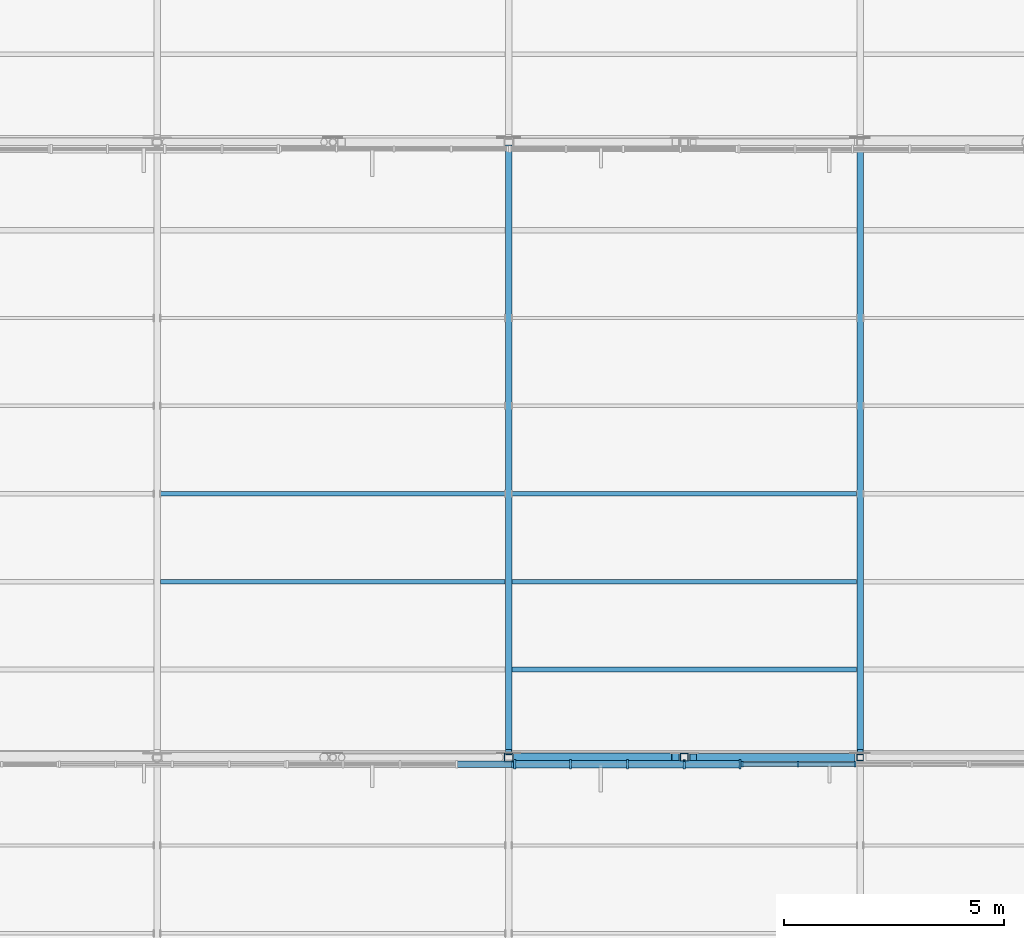
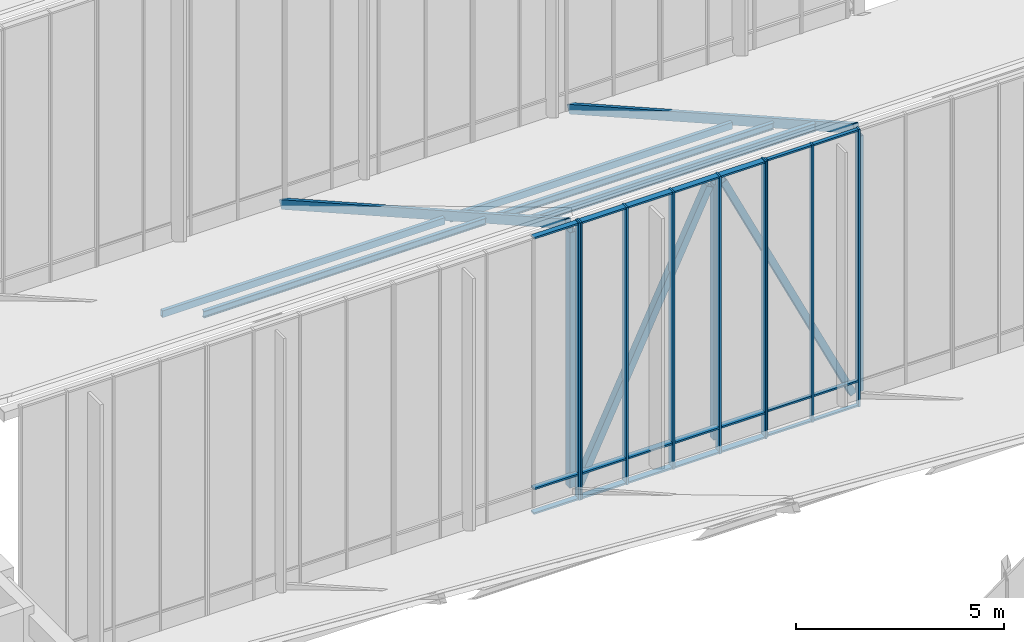
# One storey, part 47 of 155: 42 members, 3 elements without a shape of their own.
"""IFC4 building model written with IfcOpenShell, lengths in metres."""

from ifc_helpers import new_model, si_unit, direction, frame, origin, origin_2d, place, context, subcontext, project, spatial, rectangle, hollow_rectangle, i_section, extrude, material, material_profile, profile_set, type_object, element, aggregate, save


model = new_model("IFC4")

# Units and contexts
model_context = context("Model", 3, precision=1e-05, world=origin(), true_north=direction((0.0, 1.0)))
body_context = subcontext(model_context, "Body", "Model", "MODEL_VIEW")
ifc_project = project(units=[si_unit("LENGTHUNIT", "METRE"), si_unit("AREAUNIT", "SQUARE_METRE"), si_unit("VOLUMEUNIT", "CUBIC_METRE"), si_unit("PLANEANGLEUNIT", "RADIAN"), si_unit("MASSUNIT", "GRAM", prefix="KILO")], contexts=[model_context])

# Site, building, storey
site_placement = place(None, origin())
site = spatial("IfcSite", under=ifc_project, at=site_placement, CompositionType="ELEMENT")
building_placement = place(site_placement, origin())
building = spatial("IfcBuilding", under=site, at=building_placement, Name="Larkveld Mobility Hub", CompositionType="ELEMENT")
storey_placement = place(building_placement, frame((0.0, 0.0, 8.39990234375)))
storey = spatial("IfcBuildingStorey", under=building, at=storey_placement, Name="L02", CompositionType="ELEMENT", Elevation=8.39990234375)

# Curtain wall, member
ifc_material_1 = material(Name="Anodised aluminium 6063-T6", Category="aluminium")
curtain_wall_type_1 = type_object("IfcCurtainWallType", Name="CW-SYS-10", PredefinedType="NOTDEFINED", material=ifc_material_1)
curtain_wall_1_placement = place(storey_placement, origin())
curtain_wall_1 = element("IfcCurtainWall", 1, at=curtain_wall_1_placement, inside=storey, type_object=curtain_wall_type_1, Name="Sawtooth South-Light Clerestory B3 CW-022", PredefinedType="NOTDEFINED")
ifc_material_profile_1 = material_profile(ifc_material_1, rectangle(XDim=0.050048828125, YDim=0.179931640625, at=origin_2d()), Name="ALU MULL 50x180")
ifc_profile_set_1 = profile_set([ifc_material_profile_1], Name="Anodised aluminium 6063-T6")
member_type_1 = type_object("IfcMemberType", Name="CW-MUL-02", PredefinedType="MULLION", material=ifc_profile_set_1)
member_1_placement = place(storey_placement, frame((168.090087890625, 55.844970703125, -0.001953125), z_axis=(0.0, 0.0, 1.0), x_axis=(1.0, 0.0, 0.0)))
member_1 = element("IfcMember", 2, at=member_1_placement, type_object=member_type_1, Name="CW10 mullion 5", PredefinedType="MULLION", context=body_context, shape_type="SweptSolid", body=[
    extrude(rectangle(XDim=0.050048828125, YDim=0.179931640625, at=origin_2d()), origin(), (0.0, 0.0, 1.0), 8.152099609375),
])

# Curtain wall, members
curtain_wall_type_2 = type_object("IfcCurtainWallType", Name="CW-SYS-11", PredefinedType="NOTDEFINED", material=ifc_material_1)
curtain_wall_2_placement = place(storey_placement, origin())
curtain_wall_2 = element("IfcCurtainWall", 3, at=curtain_wall_2_placement, inside=storey, type_object=curtain_wall_type_2, Name="Sawtooth South-Light Clerestory B3 CW-023", PredefinedType="NOTDEFINED")
ifc_material_profile_2 = material_profile(ifc_material_1, rectangle(XDim=0.050048828125, YDim=0.2099609375, at=origin_2d()), Name="ALU MULL 50x210")
ifc_profile_set_2 = profile_set([ifc_material_profile_2], Name="Anodised aluminium 6063-T6")
member_type_2 = type_object("IfcMemberType", Name="CW-MUL-03", PredefinedType="MULLION", material=ifc_profile_set_2)
member_2_placement = place(storey_placement, frame((168.139892578125, 55.844970703125, -0.001953125), z_axis=(0.0, 0.0, 1.0), x_axis=(1.0, 0.0, 0.0)))
member_2 = element("IfcMember", 4, at=member_2_placement, type_object=member_type_2, Name="CW11 mullion 1", PredefinedType="MULLION", context=body_context, shape_type="SweptSolid", body=[
    extrude(rectangle(XDim=0.050048828125, YDim=0.2099609375, at=origin_2d()), origin(), (0.0, 0.0, 1.0), 8.152099609375),
])
member_3_placement = place(storey_placement, frame((169.409912109375, 55.844970703125, -0.001953125), z_axis=(0.0, 0.0, 1.0), x_axis=(1.0, 0.0, 0.0)))
member_3 = element("IfcMember", 5, at=member_3_placement, type_object=member_type_2, Name="CW11 mullion 2", PredefinedType="MULLION", context=body_context, shape_type="SweptSolid", body=[
    extrude(rectangle(XDim=0.050048828125, YDim=0.2099609375, at=origin_2d()), origin(), (0.0, 0.0, 1.0), 8.152099609375),
])
member_4_placement = place(storey_placement, frame((170.7041015625, 55.844970703125, -0.001953125), z_axis=(0.0, 0.0, 1.0), x_axis=(1.0, 0.0, 0.0)))
member_4 = element("IfcMember", 6, at=member_4_placement, type_object=member_type_2, Name="CW11 mullion 3", PredefinedType="MULLION", context=body_context, shape_type="SweptSolid", body=[
    extrude(rectangle(XDim=0.050048828125, YDim=0.2099609375, at=origin_2d()), origin(), (0.0, 0.0, 1.0), 8.152099609375),
])
member_5_placement = place(storey_placement, frame((171.9990234375, 55.844970703125, -0.001953125), z_axis=(0.0, 0.0, 1.0), x_axis=(1.0, 0.0, 0.0)))
member_5 = element("IfcMember", 7, at=member_5_placement, type_object=member_type_2, Name="CW11 mullion 4", PredefinedType="MULLION", context=body_context, shape_type="SweptSolid", body=[
    extrude(rectangle(XDim=0.050048828125, YDim=0.2099609375, at=origin_2d()), origin(), (0.0, 0.0, 1.0), 8.152099609375),
])
member_6_placement = place(storey_placement, frame((173.26806640625, 55.844970703125, -0.001953125), z_axis=(0.0, 0.0, 1.0), x_axis=(1.0, 0.0, 0.0)))
member_6 = element("IfcMember", 8, at=member_6_placement, type_object=member_type_2, Name="CW11 mullion 5", PredefinedType="MULLION", context=body_context, shape_type="SweptSolid", body=[
    extrude(rectangle(XDim=0.050048828125, YDim=0.2099609375, at=origin_2d()), origin(), (0.0, 0.0, 1.0), 8.152099609375),
])

curtain_wall_type_3 = type_object("IfcCurtainWallType", Name="CW-SYS-12", PredefinedType="NOTDEFINED", material=ifc_material_1)
curtain_wall_3_placement = place(storey_placement, origin())
curtain_wall_3 = element("IfcCurtainWall", 9, at=curtain_wall_3_placement, inside=storey, type_object=curtain_wall_type_3, Name="Sawtooth South-Light Clerestory B3 CW-024", PredefinedType="NOTDEFINED")
ifc_material_profile_3 = material_profile(ifc_material_1, rectangle(XDim=0.050048828125, YDim=0.1298828125, at=origin_2d()), Name="ALU MULL 50x130")
ifc_profile_set_3 = profile_set([ifc_material_profile_3], Name="Anodised aluminium 6063-T6")
member_type_3 = type_object("IfcMemberType", Name="CW-MUL-04", PredefinedType="MULLION", material=ifc_profile_set_3)
member_7_placement = place(storey_placement, frame((173.318115234375, 55.844970703125, -0.001953125), z_axis=(0.0, 0.0, 1.0), x_axis=(1.0, 0.0, 0.0)))
member_7 = element("IfcMember", 10, at=member_7_placement, type_object=member_type_3, Name="CW12 mullion 1", PredefinedType="MULLION", context=body_context, shape_type="SweptSolid", body=[
    extrude(rectangle(XDim=0.050048828125, YDim=0.1298828125, at=origin_2d()), origin(), (0.0, 0.0, 1.0), 8.152099609375),
])
member_8_placement = place(storey_placement, frame((174.587890625, 55.844970703125, -0.001953125), z_axis=(0.0, 0.0, 1.0), x_axis=(1.0, 0.0, 0.0)))
member_8 = element("IfcMember", 11, at=member_8_placement, type_object=member_type_3, Name="CW12 mullion 2", PredefinedType="MULLION", context=body_context, shape_type="SweptSolid", body=[
    extrude(rectangle(XDim=0.050048828125, YDim=0.1298828125, at=origin_2d()), origin(), (0.0, 0.0, 1.0), 8.152099609375),
])
member_9_placement = place(storey_placement, frame((175.882080078125, 55.844970703125, -0.001953125), z_axis=(0.0, 0.0, 1.0), x_axis=(1.0, 0.0, 0.0)))
member_9 = element("IfcMember", 12, at=member_9_placement, type_object=member_type_3, Name="CW12 mullion 3", PredefinedType="MULLION", context=body_context, shape_type="SweptSolid", body=[
    extrude(rectangle(XDim=0.050048828125, YDim=0.1298828125, at=origin_2d()), origin(), (0.0, 0.0, 1.0), 8.152099609375),
])

# Member
ifc_material_profile_4 = material_profile(ifc_material_1, rectangle(XDim=0.14990234375, YDim=0.050048828125, at=origin_2d()), Name="ALU TRAN 50x150")
ifc_profile_set_4 = profile_set([ifc_material_profile_4], Name="Anodised aluminium 6063-T6")
member_type_4 = type_object("IfcMemberType", Name="CW-TRN-02", PredefinedType="USERDEFINED", material=ifc_profile_set_4)
member_10_placement = place(storey_placement, frame((166.8359375, 55.844970703125, 0.030029296875), z_axis=(1.0, 0.0, 0.0), x_axis=(0.0, 1.0, 0.0)))
member_10 = element("IfcMember", 13, at=member_10_placement, type_object=member_type_4, Name="CW10 transom 4.1", ObjectType="TRANSOM", PredefinedType="USERDEFINED", context=body_context, shape_type="SweptSolid", body=[
    extrude(rectangle(XDim=0.14990234375, YDim=0.050048828125, at=origin_2d()), origin(), (0.0, 0.0, 1.0), 1.244140625),
])

member_11_placement = place(storey_placement, frame((166.8359375, 55.844970703125, 0.75), z_axis=(1.0, 0.0, 0.0), x_axis=(0.0, 1.0, 0.0)))
member_11 = element("IfcMember", 14, at=member_11_placement, type_object=member_type_4, Name="CW10 transom 4.2", ObjectType="TRANSOM", PredefinedType="USERDEFINED", context=body_context, shape_type="SweptSolid", body=[
    extrude(rectangle(XDim=0.14990234375, YDim=0.050048828125, at=origin_2d()), origin(), (0.0, 0.0, 1.0), 1.244140625),
])

member_12_placement = place(storey_placement, frame((166.8359375, 55.844970703125, 8.1181640625), z_axis=(1.0, 0.0, 0.0), x_axis=(0.0, 1.0, 0.0)))
member_12 = element("IfcMember", 15, at=member_12_placement, type_object=member_type_4, Name="CW10 transom 4.3", ObjectType="TRANSOM", PredefinedType="USERDEFINED", context=body_context, shape_type="SweptSolid", body=[
    extrude(rectangle(XDim=0.14990234375, YDim=0.050048828125, at=origin_2d()), origin(), (0.0, 0.0, 1.0), 1.244140625),
])

aggregate(curtain_wall_1, [member_1, member_10, member_11, member_12])

ifc_material_profile_5 = material_profile(ifc_material_1, rectangle(XDim=0.169921875, YDim=0.050048828125, at=origin_2d()), Name="ALU TRAN 50x170")
ifc_profile_set_5 = profile_set([ifc_material_profile_5], Name="Anodised aluminium 6063-T6")
member_type_5 = type_object("IfcMemberType", Name="CW-TRN-03", PredefinedType="USERDEFINED", material=ifc_profile_set_5)
member_13_placement = place(storey_placement, frame((168.14990234375, 55.844970703125, 0.030029296875), z_axis=(1.0, 0.0, 0.0), x_axis=(0.0, 1.0, 0.0)))
member_13 = element("IfcMember", 16, at=member_13_placement, type_object=member_type_5, Name="CW11 transom 1.1", ObjectType="TRANSOM", PredefinedType="USERDEFINED", context=body_context, shape_type="SweptSolid", body=[
    extrude(rectangle(XDim=0.169921875, YDim=0.050048828125, at=origin_2d()), origin(), (0.0, 0.0, 1.0), 1.2451171875),
])

member_14_placement = place(storey_placement, frame((168.14990234375, 55.844970703125, 0.75), z_axis=(1.0, 0.0, 0.0), x_axis=(0.0, 1.0, 0.0)))
member_14 = element("IfcMember", 17, at=member_14_placement, type_object=member_type_5, Name="CW11 transom 1.2", ObjectType="TRANSOM", PredefinedType="USERDEFINED", context=body_context, shape_type="SweptSolid", body=[
    extrude(rectangle(XDim=0.169921875, YDim=0.050048828125, at=origin_2d()), origin(), (0.0, 0.0, 1.0), 1.2451171875),
])

member_15_placement = place(storey_placement, frame((168.14990234375, 55.844970703125, 8.1181640625), z_axis=(1.0, 0.0, 0.0), x_axis=(0.0, 1.0, 0.0)))
member_15 = element("IfcMember", 18, at=member_15_placement, type_object=member_type_5, Name="CW11 transom 1.3", ObjectType="TRANSOM", PredefinedType="USERDEFINED", context=body_context, shape_type="SweptSolid", body=[
    extrude(rectangle(XDim=0.169921875, YDim=0.050048828125, at=origin_2d()), origin(), (0.0, 0.0, 1.0), 1.2451171875),
])

member_16_placement = place(storey_placement, frame((169.425048828125, 55.844970703125, 0.030029296875), z_axis=(1.0, 0.0, 0.0), x_axis=(0.0, 1.0, 0.0)))
member_16 = element("IfcMember", 19, at=member_16_placement, type_object=member_type_5, Name="CW11 transom 2.1", ObjectType="TRANSOM", PredefinedType="USERDEFINED", context=body_context, shape_type="SweptSolid", body=[
    extrude(rectangle(XDim=0.169921875, YDim=0.050048828125, at=origin_2d()), origin(), (0.0, 0.0, 1.0), 1.263916015625),
])

member_17_placement = place(storey_placement, frame((169.425048828125, 55.844970703125, 0.75), z_axis=(1.0, 0.0, 0.0), x_axis=(0.0, 1.0, 0.0)))
member_17 = element("IfcMember", 20, at=member_17_placement, type_object=member_type_5, Name="CW11 transom 2.2", ObjectType="TRANSOM", PredefinedType="USERDEFINED", context=body_context, shape_type="SweptSolid", body=[
    extrude(rectangle(XDim=0.169921875, YDim=0.050048828125, at=origin_2d()), origin(), (0.0, 0.0, 1.0), 1.263916015625),
])

member_18_placement = place(storey_placement, frame((169.425048828125, 55.844970703125, 8.1181640625), z_axis=(1.0, 0.0, 0.0), x_axis=(0.0, 1.0, 0.0)))
member_18 = element("IfcMember", 21, at=member_18_placement, type_object=member_type_5, Name="CW11 transom 2.3", ObjectType="TRANSOM", PredefinedType="USERDEFINED", context=body_context, shape_type="SweptSolid", body=[
    extrude(rectangle(XDim=0.169921875, YDim=0.050048828125, at=origin_2d()), origin(), (0.0, 0.0, 1.0), 1.263916015625),
])

member_19_placement = place(storey_placement, frame((170.718994140625, 55.844970703125, 0.030029296875), z_axis=(1.0, 0.0, 0.0), x_axis=(0.0, 1.0, 0.0)))
member_19 = element("IfcMember", 22, at=member_19_placement, type_object=member_type_5, Name="CW11 transom 3.1", ObjectType="TRANSOM", PredefinedType="USERDEFINED", context=body_context, shape_type="SweptSolid", body=[
    extrude(rectangle(XDim=0.169921875, YDim=0.050048828125, at=origin_2d()), origin(), (0.0, 0.0, 1.0), 1.264892578125),
])

member_20_placement = place(storey_placement, frame((170.718994140625, 55.844970703125, 0.75), z_axis=(1.0, 0.0, 0.0), x_axis=(0.0, 1.0, 0.0)))
member_20 = element("IfcMember", 23, at=member_20_placement, type_object=member_type_5, Name="CW11 transom 3.2", ObjectType="TRANSOM", PredefinedType="USERDEFINED", context=body_context, shape_type="SweptSolid", body=[
    extrude(rectangle(XDim=0.169921875, YDim=0.050048828125, at=origin_2d()), origin(), (0.0, 0.0, 1.0), 1.264892578125),
])

member_21_placement = place(storey_placement, frame((170.718994140625, 55.844970703125, 8.1181640625), z_axis=(1.0, 0.0, 0.0), x_axis=(0.0, 1.0, 0.0)))
member_21 = element("IfcMember", 24, at=member_21_placement, type_object=member_type_5, Name="CW11 transom 3.3", ObjectType="TRANSOM", PredefinedType="USERDEFINED", context=body_context, shape_type="SweptSolid", body=[
    extrude(rectangle(XDim=0.169921875, YDim=0.050048828125, at=origin_2d()), origin(), (0.0, 0.0, 1.0), 1.264892578125),
])

member_22_placement = place(storey_placement, frame((172.013916015625, 55.844970703125, 0.030029296875), z_axis=(1.0, 0.0, 0.0), x_axis=(0.0, 1.0, 0.0)))
member_22 = element("IfcMember", 25, at=member_22_placement, type_object=member_type_5, Name="CW11 transom 4.1", ObjectType="TRANSOM", PredefinedType="USERDEFINED", context=body_context, shape_type="SweptSolid", body=[
    extrude(rectangle(XDim=0.169921875, YDim=0.050048828125, at=origin_2d()), origin(), (0.0, 0.0, 1.0), 1.244140625),
])

member_23_placement = place(storey_placement, frame((172.013916015625, 55.844970703125, 0.75), z_axis=(1.0, 0.0, 0.0), x_axis=(0.0, 1.0, 0.0)))
member_23 = element("IfcMember", 26, at=member_23_placement, type_object=member_type_5, Name="CW11 transom 4.2", ObjectType="TRANSOM", PredefinedType="USERDEFINED", context=body_context, shape_type="SweptSolid", body=[
    extrude(rectangle(XDim=0.169921875, YDim=0.050048828125, at=origin_2d()), origin(), (0.0, 0.0, 1.0), 1.244140625),
])

member_24_placement = place(storey_placement, frame((172.013916015625, 55.844970703125, 8.1181640625), z_axis=(1.0, 0.0, 0.0), x_axis=(0.0, 1.0, 0.0)))
member_24 = element("IfcMember", 27, at=member_24_placement, type_object=member_type_5, Name="CW11 transom 4.3", ObjectType="TRANSOM", PredefinedType="USERDEFINED", context=body_context, shape_type="SweptSolid", body=[
    extrude(rectangle(XDim=0.169921875, YDim=0.050048828125, at=origin_2d()), origin(), (0.0, 0.0, 1.0), 1.244140625),
])

aggregate(curtain_wall_2, [member_2, member_3, member_4, member_5, member_6, member_13, member_14, member_15, member_16, member_17, member_18, member_19, member_20, member_21, member_22, member_23, member_24])

ifc_material_profile_6 = material_profile(ifc_material_1, rectangle(XDim=0.10009765625, YDim=0.050048828125, at=origin_2d()), Name="ALU TRAN 50x100")
ifc_profile_set_6 = profile_set([ifc_material_profile_6], Name="Anodised aluminium 6063-T6")
member_type_6 = type_object("IfcMemberType", Name="CW-TRN-04", PredefinedType="USERDEFINED", material=ifc_profile_set_6)
member_25_placement = place(storey_placement, frame((173.327880859375, 55.844970703125, 0.030029296875), z_axis=(1.0, 0.0, 0.0), x_axis=(0.0, 1.0, 0.0)))
member_25 = element("IfcMember", 28, at=member_25_placement, type_object=member_type_6, Name="CW12 transom 1.1", ObjectType="TRANSOM", PredefinedType="USERDEFINED", context=body_context, shape_type="SweptSolid", body=[
    extrude(rectangle(XDim=0.10009765625, YDim=0.050048828125, at=origin_2d()), origin(), (0.0, 0.0, 1.0), 1.2451171875),
])

member_26_placement = place(storey_placement, frame((173.327880859375, 55.844970703125, 0.75), z_axis=(1.0, 0.0, 0.0), x_axis=(0.0, 1.0, 0.0)))
member_26 = element("IfcMember", 29, at=member_26_placement, type_object=member_type_6, Name="CW12 transom 1.2", ObjectType="TRANSOM", PredefinedType="USERDEFINED", context=body_context, shape_type="SweptSolid", body=[
    extrude(rectangle(XDim=0.10009765625, YDim=0.050048828125, at=origin_2d()), origin(), (0.0, 0.0, 1.0), 1.2451171875),
])

member_27_placement = place(storey_placement, frame((173.327880859375, 55.844970703125, 8.1181640625), z_axis=(1.0, 0.0, 0.0), x_axis=(0.0, 1.0, 0.0)))
member_27 = element("IfcMember", 30, at=member_27_placement, type_object=member_type_6, Name="CW12 transom 1.3", ObjectType="TRANSOM", PredefinedType="USERDEFINED", context=body_context, shape_type="SweptSolid", body=[
    extrude(rectangle(XDim=0.10009765625, YDim=0.050048828125, at=origin_2d()), origin(), (0.0, 0.0, 1.0), 1.2451171875),
])

member_28_placement = place(storey_placement, frame((174.60302734375, 55.844970703125, 0.030029296875), z_axis=(1.0, 0.0, 0.0), x_axis=(0.0, 1.0, 0.0)))
member_28 = element("IfcMember", 31, at=member_28_placement, type_object=member_type_6, Name="CW12 transom 2.1", ObjectType="TRANSOM", PredefinedType="USERDEFINED", context=body_context, shape_type="SweptSolid", body=[
    extrude(rectangle(XDim=0.10009765625, YDim=0.050048828125, at=origin_2d()), origin(), (0.0, 0.0, 1.0), 1.263916015625),
])

member_29_placement = place(storey_placement, frame((174.60302734375, 55.844970703125, 0.75), z_axis=(1.0, 0.0, 0.0), x_axis=(0.0, 1.0, 0.0)))
member_29 = element("IfcMember", 32, at=member_29_placement, type_object=member_type_6, Name="CW12 transom 2.2", ObjectType="TRANSOM", PredefinedType="USERDEFINED", context=body_context, shape_type="SweptSolid", body=[
    extrude(rectangle(XDim=0.10009765625, YDim=0.050048828125, at=origin_2d()), origin(), (0.0, 0.0, 1.0), 1.263916015625),
])

member_30_placement = place(storey_placement, frame((174.60302734375, 55.844970703125, 8.1181640625), z_axis=(1.0, 0.0, 0.0), x_axis=(0.0, 1.0, 0.0)))
member_30 = element("IfcMember", 33, at=member_30_placement, type_object=member_type_6, Name="CW12 transom 2.3", ObjectType="TRANSOM", PredefinedType="USERDEFINED", context=body_context, shape_type="SweptSolid", body=[
    extrude(rectangle(XDim=0.10009765625, YDim=0.050048828125, at=origin_2d()), origin(), (0.0, 0.0, 1.0), 1.263916015625),
])

aggregate(curtain_wall_3, [member_7, member_8, member_9, member_25, member_26, member_27, member_28, member_29, member_30])

# Members
ifc_material_2 = material(Name="Steel S355JR", Category="steel")
ifc_material_profile_7 = material_profile(ifc_material_2, hollow_rectangle(XDim=0.14990234375, YDim=0.14990234375, WallThickness=0.008056640625, at=origin_2d()), Name="SHS 150x150x8")
ifc_profile_set_7 = profile_set([ifc_material_profile_7], Name="Steel S355JR")
member_type_7 = type_object("IfcMemberType", Name="MB-BR-SHS150", PredefinedType="BRACE", material=ifc_profile_set_7)
member_31_placement = place(storey_placement, frame((176.0, 56.0, 0.32421875), z_axis=(0.0, 0.0, 1.0), x_axis=(1.0, 0.0, 0.0)))
element("IfcMember", 34, at=member_31_placement, inside=storey, type_object=member_type_7, Name="ROOF TRUSS T3 Vertical Post 6", PredefinedType="BRACE", context=body_context, shape_type="SweptSolid", body=[
    extrude(hollow_rectangle(XDim=0.14990234375, YDim=0.14990234375, WallThickness=0.008056640625, at=origin_2d()), origin(), (0.0, 0.0, 1.0), 7.5009765625),
])
ifc_material_profile_8 = material_profile(ifc_material_2, hollow_rectangle(XDim=0.179931640625, YDim=0.179931640625, WallThickness=0.010009765625, at=origin_2d()), Name="SHS 180x180x10")
ifc_profile_set_8 = profile_set([ifc_material_profile_8], Name="Steel S355JR")
member_type_8 = type_object("IfcMemberType", Name="MB-BR-SHS180", PredefinedType="BRACE", material=ifc_profile_set_8)
member_32_placement = place(storey_placement, frame((172.199951171875, 56.0, 7.8251953125), z_axis=(0.432694817509, 0.0, -0.901540456608), x_axis=(0.0, 1.0, 0.0)))
element("IfcMember", 35, at=member_32_placement, inside=storey, type_object=member_type_8, Name="ROOF TRUSS T3 Web Diagonal 6", PredefinedType="BRACE", context=body_context, shape_type="SweptSolid", body=[
    extrude(hollow_rectangle(XDim=0.179931640625, YDim=0.179931640625, WallThickness=0.010009765625, at=origin_2d()), origin(), (0.0, 0.0, 1.0), 8.320068359375),
])
member_33_placement = place(storey_placement, frame((172.0, 56.0, 0.32421875), z_axis=(0.0, 0.0, 1.0), x_axis=(1.0, 0.0, 0.0)))
element("IfcMember", 36, at=member_33_placement, inside=storey, type_object=member_type_8, Name="ROOF TRUSS T3 Vertical Post 5", PredefinedType="BRACE", context=body_context, shape_type="SweptSolid", body=[
    extrude(hollow_rectangle(XDim=0.179931640625, YDim=0.179931640625, WallThickness=0.010009765625, at=origin_2d()), origin(), (0.0, 0.0, 1.0), 7.5009765625),
])
ifc_material_profile_9 = material_profile(ifc_material_2, hollow_rectangle(XDim=0.199951171875, YDim=0.199951171875, WallThickness=0.010009765625, at=origin_2d()), Name="SHS 200x200x10")
ifc_profile_set_9 = profile_set([ifc_material_profile_9], Name="Steel S355JR")
member_type_9 = type_object("IfcMemberType", Name="MB-BR-SHS200", PredefinedType="BRACE", material=ifc_profile_set_9)
member_34_placement = place(storey_placement, frame((168.199951171875, 56.0, 0.32421875), z_axis=(0.432694817509, 0.0, 0.901540456608), x_axis=(0.0, 1.0, 0.0)))
element("IfcMember", 37, at=member_34_placement, inside=storey, type_object=member_type_9, Name="ROOF TRUSS T3 Web Diagonal 5", PredefinedType="BRACE", context=body_context, shape_type="SweptSolid", body=[
    extrude(hollow_rectangle(XDim=0.199951171875, YDim=0.199951171875, WallThickness=0.010009765625, at=origin_2d()), origin(), (0.0, 0.0, 1.0), 8.320068359375),
])
member_35_placement = place(storey_placement, frame((168.0, 56.0, 0.32421875), z_axis=(0.0, 0.0, 1.0), x_axis=(1.0, 0.0, 0.0)))
element("IfcMember", 38, at=member_35_placement, inside=storey, type_object=member_type_9, Name="ROOF TRUSS T3 Vertical Post 4", PredefinedType="BRACE", context=body_context, shape_type="SweptSolid", body=[
    extrude(hollow_rectangle(XDim=0.199951171875, YDim=0.199951171875, WallThickness=0.010009765625, at=origin_2d()), origin(), (0.0, 0.0, 1.0), 7.5009765625),
])
ifc_material_profile_10 = material_profile(ifc_material_2, hollow_rectangle(XDim=0.14990234375, YDim=0.25, WallThickness=0.010009765625, at=origin_2d()), Name="RHS 250x150x10")
ifc_profile_set_10 = profile_set([ifc_material_profile_10], Name="Steel S355JR")
member_type_10 = type_object("IfcMemberType", Name="MB-CH-RHS250", PredefinedType="CHORD", material=ifc_profile_set_10)
for number, where, z_axis, x_axis, name in (
    (39, (168.0, 56.1201171875, 7.9501953125), (0.0, 0.870759014799, -0.491710014283), (-1.0, 0.0, 0.0), "ROOF TRUSS Sloped Rafter Chord B3-168"),
    (40, (176.0, 56.1201171875, 7.9501953125), (0.0, 0.870759014799, -0.491710014283), (-1.0, 0.0, 0.0), "ROOF TRUSS Sloped Rafter Chord B3-176"),
):
    element("IfcMember", number, at=place(storey_placement, frame(where, z_axis=z_axis, x_axis=x_axis)), inside=storey, type_object=member_type_10, Name=name, PredefinedType="CHORD", context=body_context, shape_type="SweptSolid", body=[
        extrude(hollow_rectangle(XDim=0.14990234375, YDim=0.25, WallThickness=0.010009765625, at=origin_2d()), origin(), (0.0, 0.0, 1.0), 15.802001953125),
    ])
ifc_material_profile_11 = material_profile(ifc_material_2, i_section(OverallWidth=0.10009765625, OverallDepth=0.199951171875, WebThickness=0.005615234375, FlangeThickness=0.008544921875, FilletRadius=0.011962890625, at=origin_2d()), Name="IPE 200")
ifc_profile_set_11 = profile_set([ifc_material_profile_11], Name="Steel S355JR")
member_type_11 = type_object("IfcMemberType", Name="MB-PR-IPE200", PredefinedType="PURLIN", material=ifc_profile_set_11)
for number, where, z_axis, x_axis, name in (
    (41, (160.080078125, 60.0, 5.70703125), (1.0, 0.0, 0.0), (0.0, 1.0, 0.0), "Sawtooth Roof Purlin B3-2.2"),
    (42, (168.080078125, 60.0, 5.70703125), (1.0, 0.0, 0.0), (0.0, 1.0, 0.0), "Sawtooth Roof Purlin B3-2.3"),
):
    element("IfcMember", number, at=place(storey_placement, frame(where, z_axis=z_axis, x_axis=x_axis)), inside=storey, type_object=member_type_11, Name=name, PredefinedType="PURLIN", context=body_context, shape_type="SweptSolid", body=[
        extrude(i_section(OverallWidth=0.10009765625, OverallDepth=0.199951171875, WebThickness=0.005615234375, FlangeThickness=0.008544921875, FilletRadius=0.011962890625, at=origin_2d()), origin(), (0.0, 0.0, 1.0), 7.83984375),
    ])
ifc_material_profile_12 = material_profile(ifc_material_2, i_section(OverallWidth=0.1201171875, OverallDepth=0.239990234375, WebThickness=0.006103515625, FlangeThickness=0.009765625, FilletRadius=0.014892578125, at=origin_2d()), Name="IPE 240")
ifc_profile_set_12 = profile_set([ifc_material_profile_12], Name="Steel S355JR")
member_type_12 = type_object("IfcMemberType", Name="MB-PR-IPE240", PredefinedType="PURLIN", material=ifc_profile_set_12)
member_36_placement = place(storey_placement, frame((168.080078125, 58.0, 6.88720703125), z_axis=(1.0, 0.0, 0.0), x_axis=(0.0, 1.0, 0.0)))
element("IfcMember", 43, at=member_36_placement, inside=storey, type_object=member_type_12, Name="Sawtooth Roof Purlin B3-1.3", PredefinedType="PURLIN", context=body_context, shape_type="SweptSolid", body=[
    extrude(i_section(OverallWidth=0.1201171875, OverallDepth=0.239990234375, WebThickness=0.006103515625, FlangeThickness=0.009765625, FilletRadius=0.014892578125, at=origin_2d()), origin(), (0.0, 0.0, 1.0), 7.83984375),
])
ifc_material_profile_13 = material_profile(ifc_material_2, hollow_rectangle(XDim=0.10009765625, YDim=0.199951171875, WallThickness=0.008056640625, at=origin_2d()), Name="RHS 200x100x8")
ifc_profile_set_13 = profile_set([ifc_material_profile_13], Name="Steel S355JR")
member_type_13 = type_object("IfcMemberType", Name="MB-PR-RHS200", PredefinedType="PURLIN", material=ifc_profile_set_13)
for number, where, z_axis, x_axis, name in (
    (44, (160.080078125, 62.0, 4.507080078125), (1.0, 0.0, 0.0), (0.0, 1.0, 0.0), "Sawtooth Roof Purlin B3-3.2"),
    (45, (168.080078125, 62.0, 4.507080078125), (1.0, 0.0, 0.0), (0.0, 1.0, 0.0), "Sawtooth Roof Purlin B3-3.3"),
):
    element("IfcMember", number, at=place(storey_placement, frame(where, z_axis=z_axis, x_axis=x_axis)), inside=storey, type_object=member_type_13, Name=name, PredefinedType="PURLIN", context=body_context, shape_type="SweptSolid", body=[
        extrude(hollow_rectangle(XDim=0.10009765625, YDim=0.199951171875, WallThickness=0.008056640625, at=origin_2d()), origin(), (0.0, 0.0, 1.0), 7.83984375),
    ])

save(model, "model.ifc")
